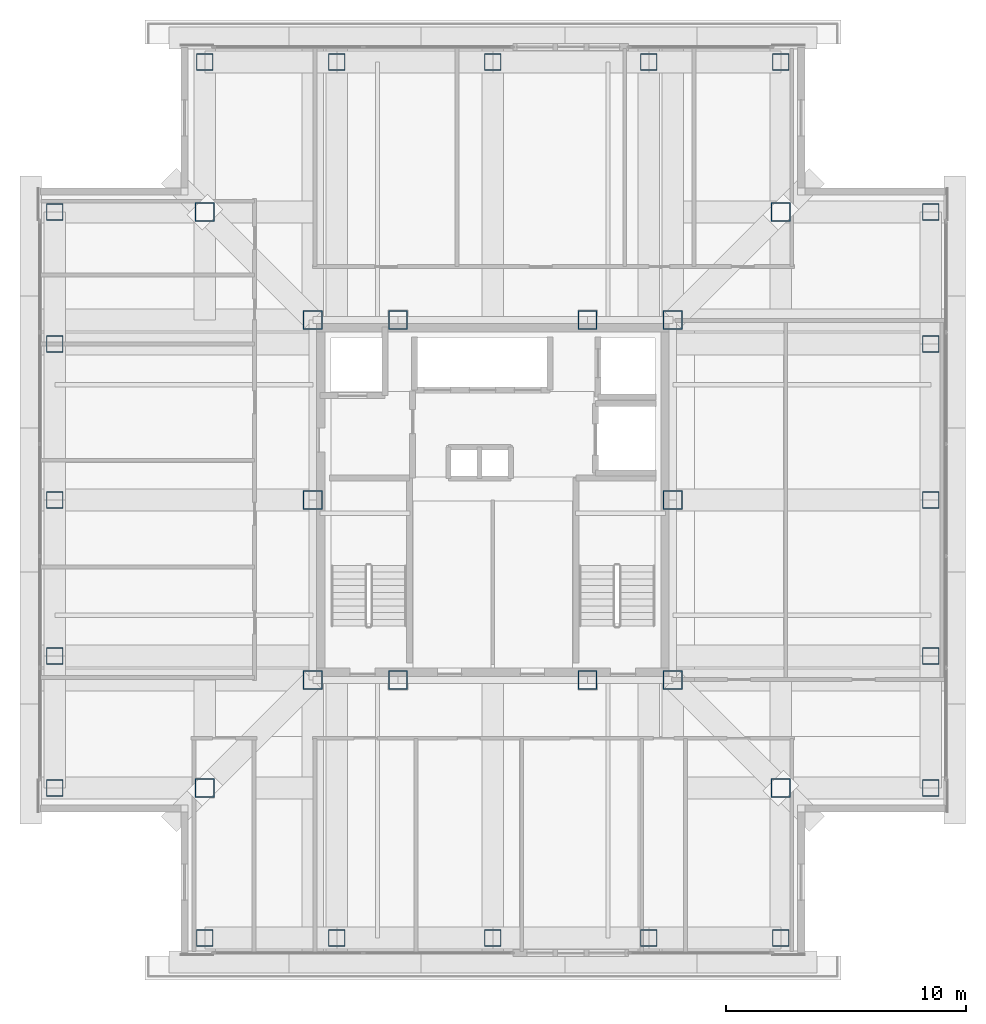
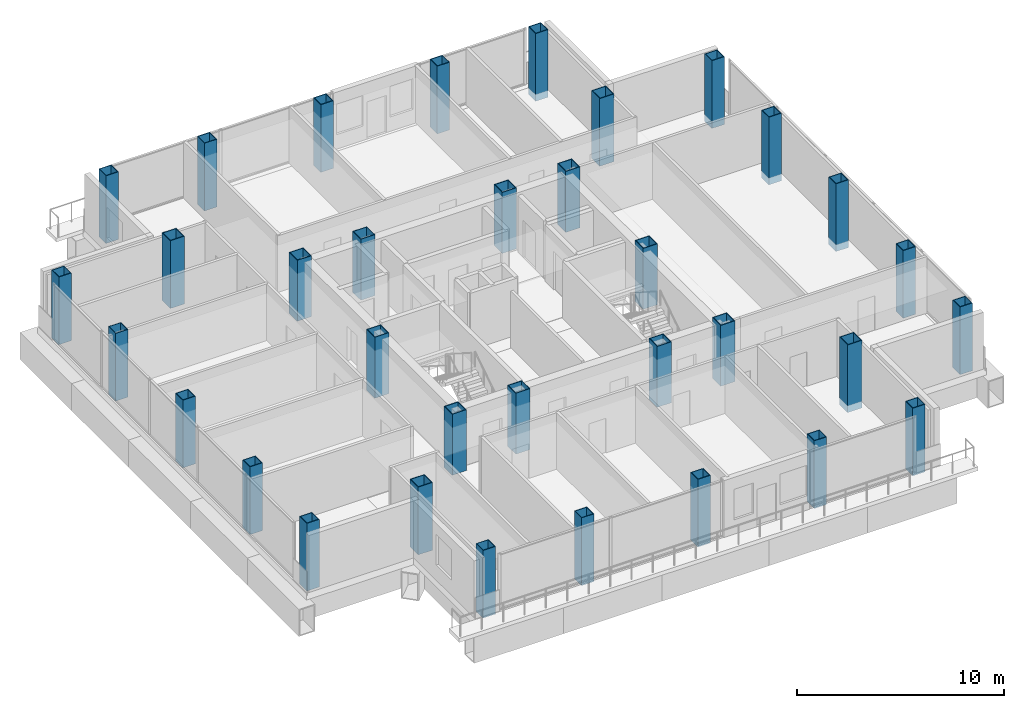
# One storey, part 1 of 15: 34 columns.
"""IFC4 building model written with IfcOpenShell, lengths in metres."""

from ifc_helpers import new_model, si_unit, direction, frame, origin, origin_2d, place, context, subcontext, project, spatial, hollow_rectangle, extrude, material, material_profile, profile_set, type_object, element, save


model = new_model("IFC4")

# Units and contexts
model_context = context("Model", 3, precision=1e-05, world=origin(), true_north=direction((0.0, 1.0)))
body_context = subcontext(model_context, "Body", "Model", "MODEL_VIEW")
ifc_project = project(units=[si_unit("LENGTHUNIT", "METRE"), si_unit("AREAUNIT", "SQUARE_METRE"), si_unit("VOLUMEUNIT", "CUBIC_METRE"), si_unit("PLANEANGLEUNIT", "RADIAN"), si_unit("MASSUNIT", "GRAM", prefix="KILO")], contexts=[model_context])

# Site, building, storey
site_placement = place(None, origin())
site = spatial("IfcSite", under=ifc_project, at=site_placement, CompositionType="ELEMENT")
building_placement = place(site_placement, origin())
building = spatial("IfcBuilding", under=site, at=building_placement, Name="Trevonay Congress Spire", CompositionType="ELEMENT")
storey_placement = place(building_placement, frame((0.0, 0.0, 232.39990234375)))
storey = spatial("IfcBuildingStorey", under=building, at=storey_placement, Name="L60", CompositionType="ELEMENT", Elevation=232.39990234375)

# Columns
ifc_material = material(Name="Steel ASTM A572 Grade 50", Category="steel")
ifc_material_profile_1 = material_profile(ifc_material, hollow_rectangle(XDim=0.800048828125, YDim=0.800048828125, WallThickness=0.0400390625, at=origin_2d()), Name="BOX 800x800x40")
ifc_profile_set_1 = profile_set([ifc_material_profile_1], Name="Steel ASTM A572 Grade 50")
column_type_1 = type_object("IfcColumnType", Name="COL-CORE-BOX800", PredefinedType="COLUMN", material=ifc_profile_set_1)
for number, where, z_axis, x_axis, name in (
    (1, (-7.5, -7.5, 0.0), (0.0, 0.0, 1.0), (1.0, 0.0, 0.0), "L60 column C05 at CC-SW"),
    (2, (-3.949951171875, -7.5, 0.0), (0.0, 0.0, 1.0), (1.0, 0.0, 0.0), "L60 column C05 at CC-SMW"),
    (3, (3.949951171875, -7.5, 0.0), (0.0, 0.0, 1.0), (1.0, 0.0, 0.0), "L60 column C05 at CC-SME"),
    (4, (7.5, -7.5, 0.0), (0.0, 0.0, 1.0), (1.0, 0.0, 0.0), "L60 column C05 at CC-SE"),
    (5, (7.5, 0.0, 0.0), (0.0, 0.0, 1.0), (1.0, 0.0, 0.0), "L60 column C05 at CC-E"),
    (6, (7.5, 7.5, 0.0), (0.0, 0.0, 1.0), (1.0, 0.0, 0.0), "L60 column C05 at CC-NE"),
    (7, (3.949951171875, 7.5, 0.0), (0.0, 0.0, 1.0), (1.0, 0.0, 0.0), "L60 column C05 at CC-NME"),
    (8, (-3.949951171875, 7.5, 0.0), (0.0, 0.0, 1.0), (1.0, 0.0, 0.0), "L60 column C05 at CC-NMW"),
    (9, (-7.5, 7.5, 0.0), (0.0, 0.0, 1.0), (1.0, 0.0, 0.0), "L60 column C05 at CC-NW"),
    (10, (-7.5, 0.0, 0.0), (0.0, 0.0, 1.0), (1.0, 0.0, 0.0), "L60 column C05 at CC-W"),
):
    element("IfcColumn", number, at=place(storey_placement, frame(where, z_axis=z_axis, x_axis=x_axis)), inside=storey, type_object=column_type_1, Name=name, PredefinedType="COLUMN", context=body_context, shape_type="SweptSolid", body=[
        extrude(hollow_rectangle(XDim=0.800048828125, YDim=0.800048828125, WallThickness=0.0400390625, at=origin_2d()), origin(), (0.0, 0.0, 1.0), 3.60009765625),
    ])
ifc_material_profile_2 = material_profile(ifc_material, hollow_rectangle(XDim=0.699951171875, YDim=0.699951171875, WallThickness=0.034912109375, at=origin_2d()), Name="BOX 700x700x35")
ifc_profile_set_2 = profile_set([ifc_material_profile_2], Name="Steel ASTM A572 Grade 50")
column_type_2 = type_object("IfcColumnType", Name="COL-TUBE-BOX700", PredefinedType="COLUMN", material=ifc_profile_set_2)
for number, where, z_axis, x_axis, name in (
    (11, (-12.0, -18.25, -0.39990234375), (0.0, 0.0, 1.0), (1.0, 0.0, 0.0), "L60 column C17 at TS-1"),
    (12, (-12.0, 18.25, -0.39990234375), (0.0, 0.0, 1.0), (1.0, 0.0, 0.0), "L60 column C17 at TN-1"),
    (13, (-18.25, -12.0, -0.39990234375), (0.0, 0.0, 1.0), (1.0, 0.0, 0.0), "L60 column C17 at TW-1"),
    (14, (18.25, -12.0, -0.39990234375), (0.0, 0.0, 1.0), (1.0, 0.0, 0.0), "L60 column C17 at TE-1"),
    (15, (-6.5, -18.25, -0.39990234375), (0.0, 0.0, 1.0), (1.0, 0.0, 0.0), "L60 column C17 at TS-2"),
    (16, (-6.5, 18.25, -0.39990234375), (0.0, 0.0, 1.0), (1.0, 0.0, 0.0), "L60 column C17 at TN-2"),
    (17, (-18.25, -6.5, -0.39990234375), (0.0, 0.0, 1.0), (1.0, 0.0, 0.0), "L60 column C17 at TW-2"),
    (18, (18.25, -6.5, -0.39990234375), (0.0, 0.0, 1.0), (1.0, 0.0, 0.0), "L60 column C17 at TE-2"),
    (19, (0.0, -18.25, -0.39990234375), (0.0, 0.0, 1.0), (1.0, 0.0, 0.0), "L60 column C17 at TS-3"),
    (20, (0.0, 18.25, -0.39990234375), (0.0, 0.0, 1.0), (1.0, 0.0, 0.0), "L60 column C17 at TN-3"),
    (21, (-18.25, 0.0, -0.39990234375), (0.0, 0.0, 1.0), (1.0, 0.0, 0.0), "L60 column C17 at TW-3"),
    (22, (18.25, 0.0, -0.39990234375), (0.0, 0.0, 1.0), (1.0, 0.0, 0.0), "L60 column C17 at TE-3"),
    (23, (6.5, -18.25, -0.39990234375), (0.0, 0.0, 1.0), (1.0, 0.0, 0.0), "L60 column C17 at TS-4"),
    (24, (6.5, 18.25, -0.39990234375), (0.0, 0.0, 1.0), (1.0, 0.0, 0.0), "L60 column C17 at TN-4"),
    (25, (-18.25, 6.5, -0.39990234375), (0.0, 0.0, 1.0), (1.0, 0.0, 0.0), "L60 column C17 at TW-4"),
    (26, (18.25, 6.5, -0.39990234375), (0.0, 0.0, 1.0), (1.0, 0.0, 0.0), "L60 column C17 at TE-4"),
    (27, (12.0, -18.25, -0.39990234375), (0.0, 0.0, 1.0), (1.0, 0.0, 0.0), "L60 column C17 at TS-5"),
    (28, (12.0, 18.25, -0.39990234375), (0.0, 0.0, 1.0), (1.0, 0.0, 0.0), "L60 column C17 at TN-5"),
    (29, (-18.25, 12.0, -0.39990234375), (0.0, 0.0, 1.0), (1.0, 0.0, 0.0), "L60 column C17 at TW-5"),
    (30, (18.25, 12.0, -0.39990234375), (0.0, 0.0, 1.0), (1.0, 0.0, 0.0), "L60 column C17 at TE-5"),
):
    element("IfcColumn", number, at=place(storey_placement, frame(where, z_axis=z_axis, x_axis=x_axis)), inside=storey, type_object=column_type_2, Name=name, PredefinedType="COLUMN", context=body_context, shape_type="SweptSolid", body=[
        extrude(hollow_rectangle(XDim=0.699951171875, YDim=0.699951171875, WallThickness=0.034912109375, at=origin_2d()), origin(), (0.0, 0.0, 1.0), 4.0),
    ])
ifc_material_profile_3 = material_profile(ifc_material, hollow_rectangle(XDim=0.800048828125, YDim=0.800048828125, WallThickness=0.0400390625, at=origin_2d()), Name="BOX 800x800x40")
ifc_profile_set_3 = profile_set([ifc_material_profile_3], Name="Steel ASTM A572 Grade 50")
column_type_3 = type_object("IfcColumnType", Name="COL-TUBE-BOX800", PredefinedType="COLUMN", material=ifc_profile_set_3)
for number, where, z_axis, x_axis, name in (
    (31, (-12.0, -12.0, -0.39990234375), (0.0, 0.0, 1.0), (1.0, 0.0, 0.0), "L60 column C16 at NC-SW"),
    (32, (12.0, -12.0, -0.39990234375), (0.0, 0.0, 1.0), (1.0, 0.0, 0.0), "L60 column C16 at NC-SE"),
    (33, (12.0, 12.0, -0.39990234375), (0.0, 0.0, 1.0), (1.0, 0.0, 0.0), "L60 column C16 at NC-NE"),
    (34, (-12.0, 12.0, -0.39990234375), (0.0, 0.0, 1.0), (1.0, 0.0, 0.0), "L60 column C16 at NC-NW"),
):
    element("IfcColumn", number, at=place(storey_placement, frame(where, z_axis=z_axis, x_axis=x_axis)), inside=storey, type_object=column_type_3, Name=name, PredefinedType="COLUMN", context=body_context, shape_type="SweptSolid", body=[
        extrude(hollow_rectangle(XDim=0.800048828125, YDim=0.800048828125, WallThickness=0.0400390625, at=origin_2d()), origin(), (0.0, 0.0, 1.0), 4.0),
    ])

save(model, "model.ifc")
